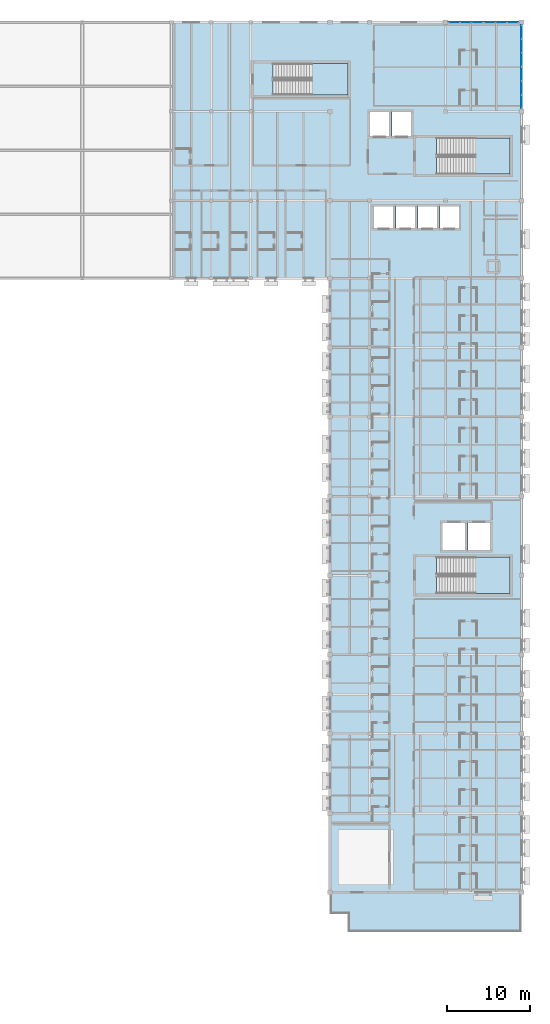
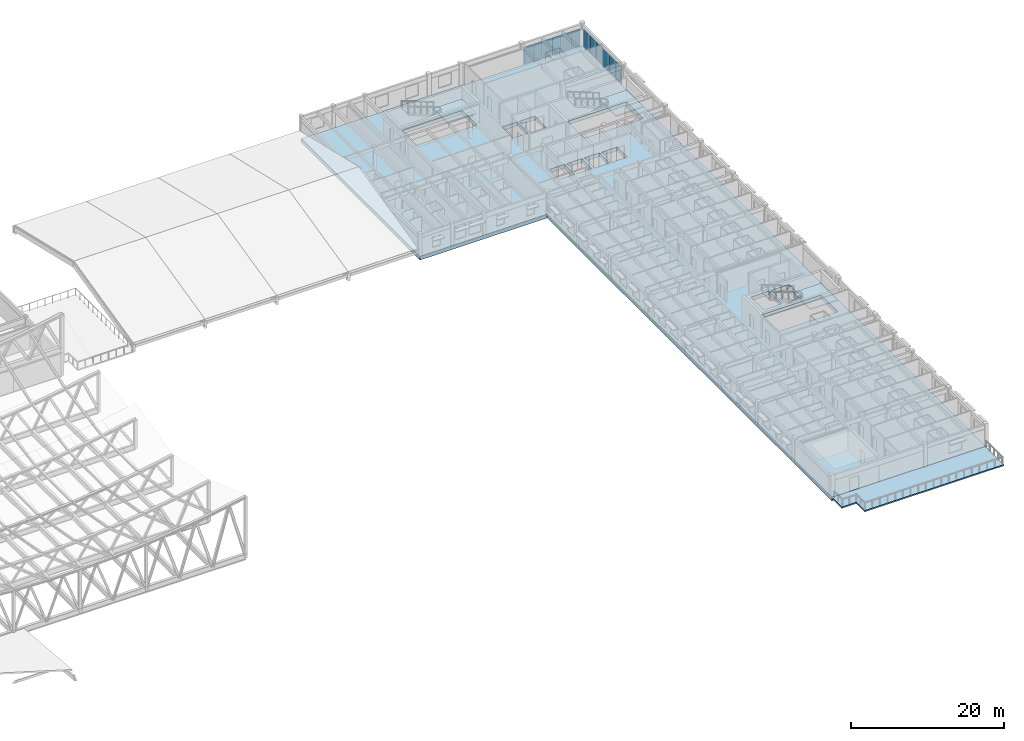
# One storey, part 22 of 40: 12 plates, 5 slabs, 7 elements without a shape of their own.
"""IFC4 building model written with IfcOpenShell, lengths in metres."""

from ifc_helpers import new_model, si_unit, direction, frame, origin, origin_2d, place, context, subcontext, project, spatial, polyline, rectangle, outline, extrude, material, layer, layer_set, type_object, element, aggregate, save


model = new_model("IFC4")

# Units and contexts
model_context = context("Model", 3, precision=1e-05, world=origin(), true_north=direction((0.0, 1.0)))
body_context = subcontext(model_context, "Body", "Model", "MODEL_VIEW")
ifc_project = project(units=[si_unit("LENGTHUNIT", "METRE"), si_unit("AREAUNIT", "SQUARE_METRE"), si_unit("VOLUMEUNIT", "CUBIC_METRE"), si_unit("PLANEANGLEUNIT", "RADIAN"), si_unit("MASSUNIT", "GRAM", prefix="KILO")], contexts=[model_context])

# Site, building, storey
site_placement = place(None, origin())
site = spatial("IfcSite", under=ifc_project, at=site_placement, CompositionType="ELEMENT")
building_placement = place(site_placement, origin())
building = spatial("IfcBuilding", under=site, at=building_placement, Name="Veldera Park Congress Hotel", CompositionType="ELEMENT")
storey_placement = place(building_placement, frame((0.0, 0.0, 16.199951171875)))
storey = spatial("IfcBuildingStorey", under=building, at=storey_placement, Name="L03", CompositionType="ELEMENT", Elevation=16.199951171875)

# Curtain wall, plates
ifc_material_1 = material(Name="Low-E Triple Insulating Glass Unit (SHGC 0.22)", Category="glass")
curtain_wall_type = type_object("IfcCurtainWallType", Name="CW-HTL", PredefinedType="NOTDEFINED", material=ifc_material_1)
curtain_wall_1_placement = place(storey_placement, origin())
curtain_wall_1 = element("IfcCurtainWall", 1, at=curtain_wall_1_placement, inside=storey, type_object=curtain_wall_type, Name="L03 Curtain Wall CW3-HTLNE-L03-096", PredefinedType="NOTDEFINED")
ifc_layer_1 = layer(ifc_material_1, 0.028076171875)
ifc_layer_set_1 = layer_set([ifc_layer_1], Name="Low-E Triple Insulating Glass Unit (SHGC 0.22)")
plate_type = type_object("IfcPlateType", Name="CWP-IGU28", PredefinedType="CURTAIN_PANEL", material=ifc_layer_set_1)
plate_1_placement = place(storey_placement, frame((84.0, 48.379150390625, 0.06005859375), z_axis=(0.0, 0.0, 1.0), x_axis=(0.0, 1.0, 0.0)))
plate_1 = element("IfcPlate", 2, at=plate_1_placement, type_object=plate_type, Name="CW-HTL panel 1.1", PredefinedType="CURTAIN_PANEL", context=body_context, shape_type="SweptSolid", body=[
    extrude(rectangle(XDim=1.598388671875, YDim=0.028076171875, at=origin_2d()), origin(), (0.0, 0.0, 1.0), 2.85498046875),
])
plate_2_placement = place(storey_placement, frame((84.0, 50.052490234375, 0.06005859375), z_axis=(0.0, 0.0, 1.0), x_axis=(0.0, 1.0, 0.0)))
plate_2 = element("IfcPlate", 3, at=plate_2_placement, type_object=plate_type, Name="CW-HTL panel 2.1", PredefinedType="CURTAIN_PANEL", context=body_context, shape_type="SweptSolid", body=[
    extrude(rectangle(XDim=1.62841796875, YDim=0.028076171875, at=origin_2d()), origin(), (0.0, 0.0, 1.0), 2.85498046875),
])
plate_3_placement = place(storey_placement, frame((84.0, 51.725830078125, 0.06005859375), z_axis=(0.0, 0.0, 1.0), x_axis=(0.0, 1.0, 0.0)))
plate_3 = element("IfcPlate", 4, at=plate_3_placement, type_object=plate_type, Name="CW-HTL panel 3.1", PredefinedType="CURTAIN_PANEL", context=body_context, shape_type="SweptSolid", body=[
    extrude(rectangle(XDim=1.598388671875, YDim=0.028076171875, at=origin_2d()), origin(), (0.0, 0.0, 1.0), 2.85498046875),
])
aggregate(curtain_wall_1, [plate_1, plate_2, plate_3])

curtain_wall_2_placement = place(storey_placement, origin())
curtain_wall_2 = element("IfcCurtainWall", 5, at=curtain_wall_2_placement, inside=storey, type_object=curtain_wall_type, Name="L03 Curtain Wall CW3-HTLNE-L03-097", PredefinedType="NOTDEFINED")
plate_4_placement = place(storey_placement, frame((84.0, 53.47412109375, 0.06005859375), z_axis=(0.0, 0.0, 1.0), x_axis=(0.0, 1.0, 0.0)))
plate_4 = element("IfcPlate", 6, at=plate_4_placement, type_object=plate_type, Name="CW-HTL panel 1.1", PredefinedType="CURTAIN_PANEL", context=body_context, shape_type="SweptSolid", body=[
    extrude(rectangle(XDim=1.598388671875, YDim=0.028076171875, at=origin_2d()), origin(), (0.0, 0.0, 1.0), 2.85498046875),
])
plate_5_placement = place(storey_placement, frame((84.0, 55.1474609375, 0.06005859375), z_axis=(0.0, 0.0, 1.0), x_axis=(0.0, 1.0, 0.0)))
plate_5 = element("IfcPlate", 7, at=plate_5_placement, type_object=plate_type, Name="CW-HTL panel 2.1", PredefinedType="CURTAIN_PANEL", context=body_context, shape_type="SweptSolid", body=[
    extrude(rectangle(XDim=1.62841796875, YDim=0.028076171875, at=origin_2d()), origin(), (0.0, 0.0, 1.0), 2.85498046875),
])
plate_6_placement = place(storey_placement, frame((84.0, 56.82080078125, 0.06005859375), z_axis=(0.0, 0.0, 1.0), x_axis=(0.0, 1.0, 0.0)))
plate_6 = element("IfcPlate", 8, at=plate_6_placement, type_object=plate_type, Name="CW-HTL panel 3.1", PredefinedType="CURTAIN_PANEL", context=body_context, shape_type="SweptSolid", body=[
    extrude(rectangle(XDim=1.598388671875, YDim=0.028076171875, at=origin_2d()), origin(), (0.0, 0.0, 1.0), 2.85498046875),
])
aggregate(curtain_wall_2, [plate_4, plate_5, plate_6])

curtain_wall_3_placement = place(storey_placement, origin())
curtain_wall_3 = element("IfcCurtainWall", 9, at=curtain_wall_3_placement, inside=storey, type_object=curtain_wall_type, Name="L03 Curtain Wall CW3-HTLNN-L03-098", PredefinedType="NOTDEFINED")
plate_7_placement = place(storey_placement, frame((82.9541015625, 58.0, 0.06005859375), z_axis=(0.0, 0.0, 1.0), x_axis=(-1.0, 0.0, 0.0)))
plate_7 = element("IfcPlate", 10, at=plate_7_placement, type_object=plate_type, Name="CW-HTL panel 1.1", PredefinedType="CURTAIN_PANEL", context=body_context, shape_type="SweptSolid", body=[
    extrude(rectangle(XDim=1.331787109375, YDim=0.028076171875, at=origin_2d()), origin(), (0.0, 0.0, 1.0), 2.7548828125),
])
plate_8_placement = place(storey_placement, frame((81.547607421875, 58.0, 0.06005859375), z_axis=(0.0, 0.0, 1.0), x_axis=(-1.0, 0.0, 0.0)))
plate_8 = element("IfcPlate", 11, at=plate_8_placement, type_object=plate_type, Name="CW-HTL panel 2.1", PredefinedType="CURTAIN_PANEL", context=body_context, shape_type="SweptSolid", body=[
    extrude(rectangle(XDim=1.361572265625, YDim=0.028076171875, at=origin_2d()), origin(), (0.0, 0.0, 1.0), 2.7548828125),
])
plate_9_placement = place(storey_placement, frame((80.140869140625, 58.0, 0.06005859375), z_axis=(0.0, 0.0, 1.0), x_axis=(-1.0, 0.0, 0.0)))
plate_9 = element("IfcPlate", 12, at=plate_9_placement, type_object=plate_type, Name="CW-HTL panel 3.1", PredefinedType="CURTAIN_PANEL", context=body_context, shape_type="SweptSolid", body=[
    extrude(rectangle(XDim=1.331787109375, YDim=0.028076171875, at=origin_2d()), origin(), (0.0, 0.0, 1.0), 2.7548828125),
])
aggregate(curtain_wall_3, [plate_7, plate_8, plate_9])

curtain_wall_4_placement = place(storey_placement, origin())
curtain_wall_4 = element("IfcCurtainWall", 13, at=curtain_wall_4_placement, inside=storey, type_object=curtain_wall_type, Name="L03 Curtain Wall CW3-HTLNN-L03-099", PredefinedType="NOTDEFINED")
plate_10_placement = place(storey_placement, frame((78.6591796875, 58.0, 0.06005859375), z_axis=(0.0, 0.0, 1.0), x_axis=(-1.0, 0.0, 0.0)))
plate_10 = element("IfcPlate", 14, at=plate_10_placement, type_object=plate_type, Name="CW-HTL panel 1.1", PredefinedType="CURTAIN_PANEL", context=body_context, shape_type="SweptSolid", body=[
    extrude(rectangle(XDim=1.331787109375, YDim=0.028076171875, at=origin_2d()), origin(), (0.0, 0.0, 1.0), 2.7548828125),
])
plate_11_placement = place(storey_placement, frame((77.25244140625, 58.0, 0.06005859375), z_axis=(0.0, 0.0, 1.0), x_axis=(-1.0, 0.0, 0.0)))
plate_11 = element("IfcPlate", 15, at=plate_11_placement, type_object=plate_type, Name="CW-HTL panel 2.1", PredefinedType="CURTAIN_PANEL", context=body_context, shape_type="SweptSolid", body=[
    extrude(rectangle(XDim=1.361572265625, YDim=0.028076171875, at=origin_2d()), origin(), (0.0, 0.0, 1.0), 2.7548828125),
])
plate_12_placement = place(storey_placement, frame((75.845947265625, 58.0, 0.06005859375), z_axis=(0.0, 0.0, 1.0), x_axis=(-1.0, 0.0, 0.0)))
plate_12 = element("IfcPlate", 16, at=plate_12_placement, type_object=plate_type, Name="CW-HTL panel 3.1", PredefinedType="CURTAIN_PANEL", context=body_context, shape_type="SweptSolid", body=[
    extrude(rectangle(XDim=1.331787109375, YDim=0.028076171875, at=origin_2d()), origin(), (0.0, 0.0, 1.0), 2.7548828125),
])
aggregate(curtain_wall_4, [plate_10, plate_11, plate_12])

# Slabs
ifc_material_2 = material(Name="Concrete f'c 40 MPa (5,800 psi)", Category="concrete")
ifc_layer_2 = layer(ifc_material_2, 0.2099609375)
ifc_layer_set_2 = layer_set([ifc_layer_2], Name="Concrete f'c 40 MPa (5,800 psi)")
slab_type_1 = type_object("IfcSlabType", Name="SLB-TER210", PredefinedType="FLOOR", material=ifc_layer_set_2)
slab_1_placement = place(storey_placement, frame((0.0, 0.0, -0.2099609375)))
element("IfcSlab", 17, at=slab_1_placement, inside=storey, type_object=slab_type_1, Name="L03 Stepped Hotel Terrace SLB-TER-L03-S", PredefinedType="FLOOR", context=body_context, shape_type="SweptSolid", body=[
    extrude(outline(polyline([(60.800048828125, -50.0), (63.0, -50.0), (63.0, -52.199951171875), (84.0, -52.199951171875), (84.0, -47.39990234375), (60.800048828125, -47.39990234375), (60.800048828125, -50.0)])), origin(), (0.0, 0.0, 1.0), 0.2099609375),
])
ifc_material_3 = material(Name="Concrete f'c 50 MPa (7,250 psi)", Category="concrete")
ifc_layer_3 = layer(ifc_material_3, 0.60009765625)
ifc_layer_set_3 = layer_set([ifc_layer_3], Name="Concrete f'c 50 MPa (7,250 psi)")
slab_type_2 = type_object("IfcSlabType", Name="SLB-TRF600", PredefinedType="FLOOR", material=ifc_layer_set_3)
slab_2_placement = place(storey_placement, frame((0.0, 0.0, -0.599853515625)))
element("IfcSlab", 18, at=slab_2_placement, inside=storey, type_object=slab_type_2, Name="L03 Hotel Transfer Deck SLB-L03-V4", PredefinedType="FLOOR", context=body_context, shape_type="SweptSolid", body=[
    extrude(outline(polyline([(60.800048828125, -47.39990234375), (84.0, -47.39990234375), (84.0, 58.0), (41.60009765625, 58.0), (41.60009765625, 27.0), (60.800048828125, 27.0), (60.800048828125, -47.39990234375)]), holes=[polyline([(73.715087890625, 39.60009765625), (82.60009765625, 39.60009765625), (82.60009765625, 44.0), (73.715087890625, 44.0), (73.715087890625, 39.60009765625)]), polyline([(73.715087890625, -11.199951171875), (82.60009765625, -11.199951171875), (82.60009765625, -6.800048828125), (73.715087890625, -6.800048828125), (73.715087890625, -11.199951171875)]), polyline([(53.9150390625, 49.199951171875), (63.0, 49.199951171875), (63.0, 53.0), (53.9150390625, 53.0), (53.9150390625, 49.199951171875)]), polyline([(65.64990234375, 44.25), (67.949951171875, 44.25), (67.949951171875, 47.14990234375), (65.64990234375, 47.14990234375), (65.64990234375, 44.25)]), polyline([(68.300048828125, 44.25), (70.60009765625, 44.25), (70.60009765625, 47.14990234375), (68.300048828125, 47.14990234375), (68.300048828125, 44.25)]), polyline([(66.14990234375, 33.10009765625), (68.449951171875, 33.10009765625), (68.449951171875, 35.699951171875), (66.14990234375, 35.699951171875), (66.14990234375, 33.10009765625)]), polyline([(68.800048828125, 33.10009765625), (71.10009765625, 33.10009765625), (71.10009765625, 35.699951171875), (68.800048828125, 35.699951171875), (68.800048828125, 33.10009765625)]), polyline([(71.449951171875, 33.10009765625), (73.75, 33.10009765625), (73.75, 35.699951171875), (71.449951171875, 35.699951171875), (71.449951171875, 33.10009765625)]), polyline([(74.10009765625, 33.10009765625), (76.39990234375, 33.10009765625), (76.39990234375, 35.699951171875), (74.10009765625, 35.699951171875), (74.10009765625, 33.10009765625)]), polyline([(74.449951171875, -5.949951171875), (77.14990234375, -5.949951171875), (77.14990234375, -2.64990234375), (74.449951171875, -2.64990234375), (74.449951171875, -5.949951171875)]), polyline([(77.5, -5.949951171875), (80.199951171875, -5.949951171875), (80.199951171875, -2.64990234375), (77.5, -2.64990234375), (77.5, -5.949951171875)])]), origin(), (0.0, 0.0, 1.0), 0.599853515625),
])

# Stair, slab
stair_type_1 = type_object("IfcStairType", Name="ST1", PredefinedType="HALF_TURN_STAIR", material=ifc_material_2)
stair_1_placement = place(storey_placement, origin())
stair_1 = element("IfcStair", 19, at=stair_1_placement, inside=storey, type_object=stair_type_1, Name="L03 Protected Exit Stair ST1", PredefinedType="HALF_TURN_STAIR")
ifc_layer_4 = layer(ifc_material_2, 0.199951171875)
ifc_layer_set_4 = layer_set([ifc_layer_4], Name="Concrete f'c 40 MPa (5,800 psi)")
slab_type_3 = type_object("IfcSlabType", Name="SLD-ST1", PredefinedType="LANDING", material=ifc_layer_set_4)
slab_3_placement = place(storey_placement, frame((0.0, 0.0, 1.699951171875)))
slab_3 = element("IfcSlab", 20, at=slab_3_placement, type_object=slab_type_3, Name="ST1 landing 1", PredefinedType="LANDING", context=body_context, shape_type="SweptSolid", body=[
    extrude(outline(polyline([(78.445068359375, 39.60009765625), (82.60009765625, 39.60009765625), (82.60009765625, 44.0), (78.445068359375, 44.0), (78.445068359375, 39.60009765625)])), origin(), (0.0, 0.0, 1.0), 0.2001953125),
])
aggregate(stair_1, [slab_3])

stair_type_2 = type_object("IfcStairType", Name="ST2", PredefinedType="HALF_TURN_STAIR", material=ifc_material_2)
stair_2_placement = place(storey_placement, origin())
stair_2 = element("IfcStair", 21, at=stair_2_placement, inside=storey, type_object=stair_type_2, Name="L03 Protected Exit Stair ST2", PredefinedType="HALF_TURN_STAIR")
ifc_layer_5 = layer(ifc_material_2, 0.199951171875)
ifc_layer_set_5 = layer_set([ifc_layer_5], Name="Concrete f'c 40 MPa (5,800 psi)")
slab_type_4 = type_object("IfcSlabType", Name="SLD-ST2", PredefinedType="LANDING", material=ifc_layer_set_5)
slab_4_placement = place(storey_placement, frame((0.0, 0.0, 1.699951171875)))
slab_4 = element("IfcSlab", 22, at=slab_4_placement, type_object=slab_type_4, Name="ST2 landing 1", PredefinedType="LANDING", context=body_context, shape_type="SweptSolid", body=[
    extrude(outline(polyline([(78.445068359375, -11.199951171875), (82.60009765625, -11.199951171875), (82.60009765625, -6.800048828125), (78.445068359375, -6.800048828125), (78.445068359375, -11.199951171875)])), origin(), (0.0, 0.0, 1.0), 0.2001953125),
])
aggregate(stair_2, [slab_4])

stair_type_3 = type_object("IfcStairType", Name="ST3", PredefinedType="HALF_TURN_STAIR", material=ifc_material_2)
stair_3_placement = place(storey_placement, origin())
stair_3 = element("IfcStair", 23, at=stair_3_placement, inside=storey, type_object=stair_type_3, Name="L03 Protected Exit Stair ST3", PredefinedType="HALF_TURN_STAIR")
ifc_layer_6 = layer(ifc_material_2, 0.199951171875)
ifc_layer_set_6 = layer_set([ifc_layer_6], Name="Concrete f'c 40 MPa (5,800 psi)")
slab_type_5 = type_object("IfcSlabType", Name="SLD-ST3", PredefinedType="LANDING", material=ifc_layer_set_6)
slab_5_placement = place(storey_placement, frame((0.0, 0.0, 1.699951171875)))
slab_5 = element("IfcSlab", 24, at=slab_5_placement, type_object=slab_type_5, Name="ST3 landing 1", PredefinedType="LANDING", context=body_context, shape_type="SweptSolid", body=[
    extrude(outline(polyline([(58.64501953125, 49.199951171875), (63.0, 49.199951171875), (63.0, 53.0), (58.64501953125, 53.0), (58.64501953125, 49.199951171875)])), origin(), (0.0, 0.0, 1.0), 0.2001953125),
])
aggregate(stair_3, [slab_5])

save(model, "model.ifc")
